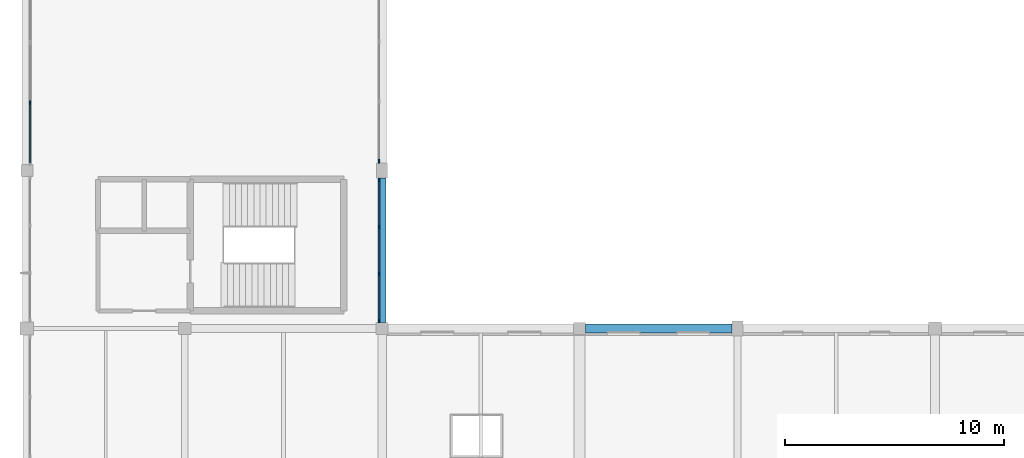
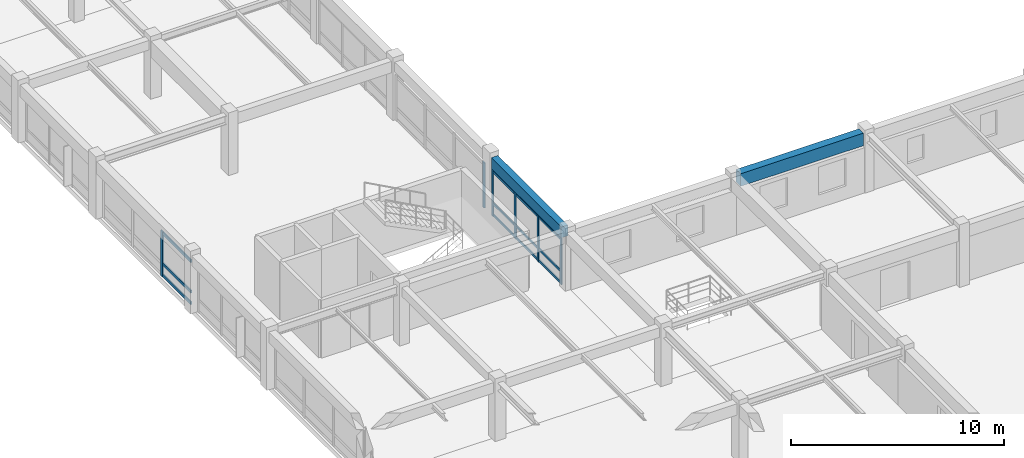
# One storey, part 19 of 74: 18 members, 2 beams, 3 elements without a shape of their own.
"""IFC4 building model written with IfcOpenShell, lengths in metres."""

from ifc_helpers import new_model, si_unit, direction, frame, origin, origin_2d, place, context, subcontext, project, spatial, rectangle, extrude, material, material_profile, profile_set, type_object, element, aggregate, save


model = new_model("IFC4")

# Units and contexts
model_context = context("Model", 3, precision=1e-05, world=origin(), true_north=direction((0.0, 1.0)))
body_context = subcontext(model_context, "Body", "Model", "MODEL_VIEW")
ifc_project = project(units=[si_unit("LENGTHUNIT", "METRE"), si_unit("AREAUNIT", "SQUARE_METRE"), si_unit("VOLUMEUNIT", "CUBIC_METRE"), si_unit("PLANEANGLEUNIT", "RADIAN"), si_unit("MASSUNIT", "GRAM", prefix="KILO")], contexts=[model_context])

# Site, building, storey
site_placement = place(None, origin())
site = spatial("IfcSite", under=ifc_project, at=site_placement, CompositionType="ELEMENT")
building_placement = place(site_placement, origin())
building = spatial("IfcBuilding", under=site, at=building_placement, Name="Clarverna Civic Hall", CompositionType="ELEMENT")
storey_placement = place(building_placement, frame((0.0, 0.0, 9.60009765625)))
storey = spatial("IfcBuildingStorey", under=building, at=storey_placement, Name="L02", CompositionType="ELEMENT", Elevation=9.60009765625)

# Beams
ifc_material_1 = material(Name="Concrete C35/45", Category="concrete")
ifc_material_profile_1 = material_profile(ifc_material_1, rectangle(XDim=0.419921875, YDim=0.719970703125, at=origin_2d()), Name="RC 420x720")
ifc_profile_set_1 = profile_set([ifc_material_profile_1], Name="Concrete C35/45")
beam_type_1 = type_object("IfcBeamType", Name="B-SP1", PredefinedType="SPANDREL", material=ifc_profile_set_1)
beam_1_placement = place(storey_placement, frame((25.47509765625, 71.60009765625, 3.0), z_axis=(1.0, 0.0, 0.0), x_axis=(0.0, 1.0, 0.0)))
element("IfcBeam", 1, at=beam_1_placement, inside=storey, type_object=beam_type_1, Name="B-SP1-086", PredefinedType="SPANDREL", context=body_context, shape_type="SweptSolid", body=[
    extrude(rectangle(XDim=0.419921875, YDim=0.719970703125, at=origin_2d()), origin(), (0.0, 0.0, 1.0), 6.6748046875),
])
ifc_material_profile_2 = material_profile(ifc_material_1, rectangle(XDim=0.360107421875, YDim=0.6201171875, at=origin_2d()), Name="RC 360x620")
ifc_profile_set_2 = profile_set([ifc_material_profile_2], Name="Concrete C35/45")
beam_type_2 = type_object("IfcBeamType", Name="B-SP3", PredefinedType="SPANDREL", material=ifc_profile_set_2)
beam_2_placement = place(storey_placement, frame((16.199951171875, 71.875, 3.010009765625), z_axis=(0.0, 1.0, 0.0), x_axis=(-1.0, 0.0, 0.0)))
element("IfcBeam", 2, at=beam_2_placement, inside=storey, type_object=beam_type_2, Name="B-SP3-099", PredefinedType="SPANDREL", context=body_context, shape_type="SweptSolid", body=[
    extrude(rectangle(XDim=0.360107421875, YDim=0.6201171875, at=origin_2d()), origin(), (0.0, 0.0, 1.0), 6.574951171875),
])

# Curtain wall, member
ifc_material_2 = material(Name="Anodised Bronze Architectural Aluminium", Category="aluminium")
curtain_wall_type_1 = type_object("IfcCurtainWallType", Name="CW-04", PredefinedType="USERDEFINED", material=ifc_material_2)
curtain_wall_1_placement = place(storey_placement, origin())
curtain_wall_1 = element("IfcCurtainWall", 3, at=curtain_wall_1_placement, inside=storey, type_object=curtain_wall_type_1, Name="CW-04-034", ObjectType="UNITISED CURTAIN WALL", PredefinedType="USERDEFINED")
ifc_material_profile_3 = material_profile(ifc_material_2, rectangle(XDim=0.06005859375, YDim=0.179931640625, at=origin_2d()), Name="BRONZE 60x180")
ifc_profile_set_3 = profile_set([ifc_material_profile_3], Name="Anodised Bronze Architectural Aluminium")
member_type_1 = type_object("IfcMemberType", Name="CWM-01", PredefinedType="MULLION", material=ifc_profile_set_3)
member_1_placement = place(storey_placement, frame((16.06005859375, 79.222900390625, 0.0), z_axis=(0.0, 0.0, 1.0), x_axis=(1.0, 0.0, 0.0)))
member_1 = element("IfcMember", 4, at=member_1_placement, type_object=member_type_1, Name="CWM-01-124", PredefinedType="MULLION", context=body_context, shape_type="SweptSolid", body=[
    extrude(rectangle(XDim=0.06005859375, YDim=0.179931640625, at=origin_2d()), origin(), (0.0, 0.0, 1.0), 2.599853515625),
])
aggregate(curtain_wall_1, [member_1])

# Curtain wall, members
curtain_wall_2_placement = place(storey_placement, origin())
curtain_wall_2 = element("IfcCurtainWall", 5, at=curtain_wall_2_placement, inside=storey, type_object=curtain_wall_type_1, Name="CW-04-035", ObjectType="UNITISED CURTAIN WALL", PredefinedType="USERDEFINED")
ifc_material_profile_4 = material_profile(ifc_material_2, rectangle(XDim=0.06005859375, YDim=0.159912109375, at=origin_2d()), Name="BRONZE 60x160")
ifc_profile_set_4 = profile_set([ifc_material_profile_4], Name="Anodised Bronze Architectural Aluminium")
member_type_2 = type_object("IfcMemberType", Name="CWM-02", PredefinedType="MULLION", material=ifc_profile_set_4)
member_2_placement = place(storey_placement, frame((16.06005859375, 78.376953125, 0.0), z_axis=(0.0, 0.0, 1.0), x_axis=(1.0, 0.0, 0.0)))
member_2 = element("IfcMember", 6, at=member_2_placement, type_object=member_type_2, Name="CWM-02-149", PredefinedType="MULLION", context=body_context, shape_type="SweptSolid", body=[
    extrude(rectangle(XDim=0.06005859375, YDim=0.159912109375, at=origin_2d()), origin(), (0.0, 0.0, 1.0), 2.669921875),
])
member_3_placement = place(storey_placement, frame((16.06005859375, 76.23388671875, 0.0), z_axis=(0.0, 0.0, 1.0), x_axis=(1.0, 0.0, 0.0)))
member_3 = element("IfcMember", 7, at=member_3_placement, type_object=member_type_2, Name="CWM-02-150", PredefinedType="MULLION", context=body_context, shape_type="SweptSolid", body=[
    extrude(rectangle(XDim=0.06005859375, YDim=0.159912109375, at=origin_2d()), origin(), (0.0, 0.0, 1.0), 2.669921875),
])
member_4_placement = place(storey_placement, frame((16.06005859375, 74.091064453125, 0.0), z_axis=(0.0, 0.0, 1.0), x_axis=(1.0, 0.0, 0.0)))
member_4 = element("IfcMember", 8, at=member_4_placement, type_object=member_type_2, Name="CWM-02-151", PredefinedType="MULLION", context=body_context, shape_type="SweptSolid", body=[
    extrude(rectangle(XDim=0.06005859375, YDim=0.159912109375, at=origin_2d()), origin(), (0.0, 0.0, 1.0), 2.669921875),
])
member_5_placement = place(storey_placement, frame((16.06005859375, 71.947998046875, 0.0), z_axis=(0.0, 0.0, 1.0), x_axis=(1.0, 0.0, 0.0)))
member_5 = element("IfcMember", 9, at=member_5_placement, type_object=member_type_2, Name="CWM-02-152", PredefinedType="MULLION", context=body_context, shape_type="SweptSolid", body=[
    extrude(rectangle(XDim=0.06005859375, YDim=0.159912109375, at=origin_2d()), origin(), (0.0, 0.0, 1.0), 2.669921875),
])

# Curtain wall, member
curtain_wall_type_2 = type_object("IfcCurtainWallType", Name="CW-01", PredefinedType="USERDEFINED", material=ifc_material_2)
curtain_wall_3_placement = place(storey_placement, origin())
curtain_wall_3 = element("IfcCurtainWall", 10, at=curtain_wall_3_placement, inside=storey, type_object=curtain_wall_type_2, Name="CW-01-025", ObjectType="UNITISED CURTAIN WALL", PredefinedType="USERDEFINED")
ifc_material_profile_5 = material_profile(ifc_material_2, rectangle(XDim=0.06494140625, YDim=0.199951171875, at=origin_2d()), Name="BRONZE 65x200")
ifc_profile_set_5 = profile_set([ifc_material_profile_5], Name="Anodised Bronze Architectural Aluminium")
member_type_3 = type_object("IfcMemberType", Name="CWM-03", PredefinedType="MULLION", material=ifc_profile_set_5)
member_6_placement = place(storey_placement, frame((0.139892578125, 81.89111328125, 0.0), z_axis=(0.0, 0.0, 1.0), x_axis=(1.0, 0.0, 0.0)))
member_6 = element("IfcMember", 11, at=member_6_placement, type_object=member_type_3, Name="CWM-03-076", PredefinedType="MULLION", context=body_context, shape_type="SweptSolid", body=[
    extrude(rectangle(XDim=0.06494140625, YDim=0.199951171875, at=origin_2d()), origin(), (0.0, 0.0, 1.0), 2.599853515625),
])

# Member
ifc_material_profile_6 = material_profile(ifc_material_2, rectangle(XDim=0.06005859375, YDim=0.1298828125, at=origin_2d()), Name="BRONZE 60x130")
ifc_profile_set_6 = profile_set([ifc_material_profile_6], Name="Anodised Bronze Architectural Aluminium")
member_type_4 = type_object("IfcMemberType", Name="CWT-02", PredefinedType="USERDEFINED", material=ifc_profile_set_6)
member_7_placement = place(storey_placement, frame((16.06005859375, 78.362060546875, 0.094970703125), z_axis=(0.0, -1.0, 0.0), x_axis=(1.0, 0.0, 0.0)))
member_7 = element("IfcMember", 12, at=member_7_placement, type_object=member_type_4, Name="CWT-02-313", ObjectType="TRANSOM", PredefinedType="USERDEFINED", context=body_context, shape_type="SweptSolid", body=[
    extrude(rectangle(XDim=0.06005859375, YDim=0.1298828125, at=origin_2d()), origin(), (0.0, 0.0, 1.0), 2.113037109375),
])

member_8_placement = place(storey_placement, frame((16.06005859375, 78.362060546875, 0.75), z_axis=(0.0, -1.0, 0.0), x_axis=(1.0, 0.0, 0.0)))
member_8 = element("IfcMember", 13, at=member_8_placement, type_object=member_type_4, Name="CWT-02-314", ObjectType="TRANSOM", PredefinedType="USERDEFINED", context=body_context, shape_type="SweptSolid", body=[
    extrude(rectangle(XDim=0.06005859375, YDim=0.1298828125, at=origin_2d()), origin(), (0.0, 0.0, 1.0), 2.113037109375),
])

member_9_placement = place(storey_placement, frame((16.06005859375, 78.362060546875, 2.574951171875), z_axis=(0.0, -1.0, 0.0), x_axis=(1.0, 0.0, 0.0)))
member_9 = element("IfcMember", 14, at=member_9_placement, type_object=member_type_4, Name="CWT-02-315", ObjectType="TRANSOM", PredefinedType="USERDEFINED", context=body_context, shape_type="SweptSolid", body=[
    extrude(rectangle(XDim=0.06005859375, YDim=0.1298828125, at=origin_2d()), origin(), (0.0, 0.0, 1.0), 2.113037109375),
])

member_10_placement = place(storey_placement, frame((16.06005859375, 76.218994140625, 0.094970703125), z_axis=(0.0, -1.0, 0.0), x_axis=(1.0, 0.0, 0.0)))
member_10 = element("IfcMember", 15, at=member_10_placement, type_object=member_type_4, Name="CWT-02-316", ObjectType="TRANSOM", PredefinedType="USERDEFINED", context=body_context, shape_type="SweptSolid", body=[
    extrude(rectangle(XDim=0.06005859375, YDim=0.1298828125, at=origin_2d()), origin(), (0.0, 0.0, 1.0), 2.113037109375),
])

member_11_placement = place(storey_placement, frame((16.06005859375, 76.218994140625, 0.75), z_axis=(0.0, -1.0, 0.0), x_axis=(1.0, 0.0, 0.0)))
member_11 = element("IfcMember", 16, at=member_11_placement, type_object=member_type_4, Name="CWT-02-317", ObjectType="TRANSOM", PredefinedType="USERDEFINED", context=body_context, shape_type="SweptSolid", body=[
    extrude(rectangle(XDim=0.06005859375, YDim=0.1298828125, at=origin_2d()), origin(), (0.0, 0.0, 1.0), 2.113037109375),
])

member_12_placement = place(storey_placement, frame((16.06005859375, 76.218994140625, 2.574951171875), z_axis=(0.0, -1.0, 0.0), x_axis=(1.0, 0.0, 0.0)))
member_12 = element("IfcMember", 17, at=member_12_placement, type_object=member_type_4, Name="CWT-02-318", ObjectType="TRANSOM", PredefinedType="USERDEFINED", context=body_context, shape_type="SweptSolid", body=[
    extrude(rectangle(XDim=0.06005859375, YDim=0.1298828125, at=origin_2d()), origin(), (0.0, 0.0, 1.0), 2.113037109375),
])

member_13_placement = place(storey_placement, frame((16.06005859375, 74.075927734375, 0.094970703125), z_axis=(0.0, -1.0, 0.0), x_axis=(1.0, 0.0, 0.0)))
member_13 = element("IfcMember", 18, at=member_13_placement, type_object=member_type_4, Name="CWT-02-319", ObjectType="TRANSOM", PredefinedType="USERDEFINED", context=body_context, shape_type="SweptSolid", body=[
    extrude(rectangle(XDim=0.06005859375, YDim=0.1298828125, at=origin_2d()), origin(), (0.0, 0.0, 1.0), 2.113037109375),
])

member_14_placement = place(storey_placement, frame((16.06005859375, 74.075927734375, 0.75), z_axis=(0.0, -1.0, 0.0), x_axis=(1.0, 0.0, 0.0)))
member_14 = element("IfcMember", 19, at=member_14_placement, type_object=member_type_4, Name="CWT-02-320", ObjectType="TRANSOM", PredefinedType="USERDEFINED", context=body_context, shape_type="SweptSolid", body=[
    extrude(rectangle(XDim=0.06005859375, YDim=0.1298828125, at=origin_2d()), origin(), (0.0, 0.0, 1.0), 2.113037109375),
])

member_15_placement = place(storey_placement, frame((16.06005859375, 74.075927734375, 2.574951171875), z_axis=(0.0, -1.0, 0.0), x_axis=(1.0, 0.0, 0.0)))
member_15 = element("IfcMember", 20, at=member_15_placement, type_object=member_type_4, Name="CWT-02-321", ObjectType="TRANSOM", PredefinedType="USERDEFINED", context=body_context, shape_type="SweptSolid", body=[
    extrude(rectangle(XDim=0.06005859375, YDim=0.1298828125, at=origin_2d()), origin(), (0.0, 0.0, 1.0), 2.113037109375),
])

aggregate(curtain_wall_2, [member_2, member_3, member_4, member_5, member_7, member_8, member_9, member_10, member_11, member_12, member_13, member_14, member_15])

ifc_material_profile_7 = material_profile(ifc_material_2, rectangle(XDim=0.06494140625, YDim=0.169921875, at=origin_2d()), Name="BRONZE 65x170")
ifc_profile_set_7 = profile_set([ifc_material_profile_7], Name="Anodised Bronze Architectural Aluminium")
member_type_5 = type_object("IfcMemberType", Name="CWT-03", PredefinedType="USERDEFINED", material=ifc_profile_set_7)
member_16_placement = place(storey_placement, frame((0.139892578125, 79.1630859375, 0.094970703125), z_axis=(0.0, 1.0, 0.0), x_axis=(-1.0, 0.0, 0.0)))
member_16 = element("IfcMember", 21, at=member_16_placement, type_object=member_type_5, Name="CWT-03-157", ObjectType="TRANSOM", PredefinedType="USERDEFINED", context=body_context, shape_type="SweptSolid", body=[
    extrude(rectangle(XDim=0.06494140625, YDim=0.169921875, at=origin_2d()), origin(), (0.0, 0.0, 1.0), 2.712890625),
])

member_17_placement = place(storey_placement, frame((0.139892578125, 79.1630859375, 0.75), z_axis=(0.0, 1.0, 0.0), x_axis=(-1.0, 0.0, 0.0)))
member_17 = element("IfcMember", 22, at=member_17_placement, type_object=member_type_5, Name="CWT-03-158", ObjectType="TRANSOM", PredefinedType="USERDEFINED", context=body_context, shape_type="SweptSolid", body=[
    extrude(rectangle(XDim=0.06494140625, YDim=0.169921875, at=origin_2d()), origin(), (0.0, 0.0, 1.0), 2.712890625),
])

member_18_placement = place(storey_placement, frame((0.139892578125, 79.1630859375, 2.5048828125), z_axis=(0.0, 1.0, 0.0), x_axis=(-1.0, 0.0, 0.0)))
member_18 = element("IfcMember", 23, at=member_18_placement, type_object=member_type_5, Name="CWT-03-159", ObjectType="TRANSOM", PredefinedType="USERDEFINED", context=body_context, shape_type="SweptSolid", body=[
    extrude(rectangle(XDim=0.06494140625, YDim=0.169921875, at=origin_2d()), origin(), (0.0, 0.0, 1.0), 2.712890625),
])

aggregate(curtain_wall_3, [member_6, member_16, member_17, member_18])

save(model, "model.ifc")
